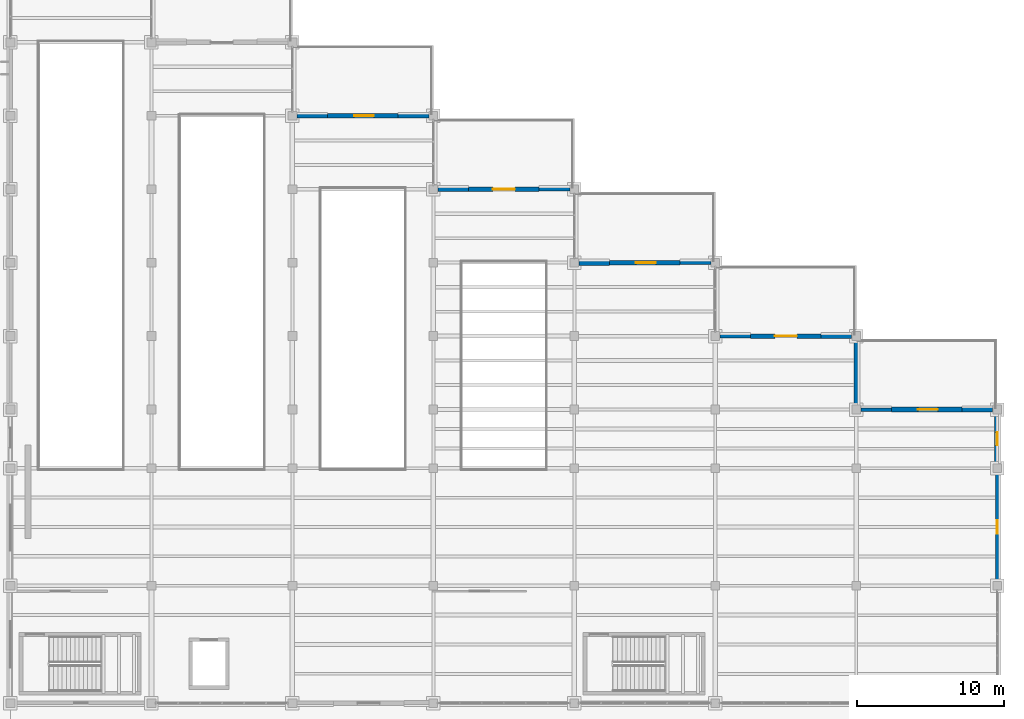
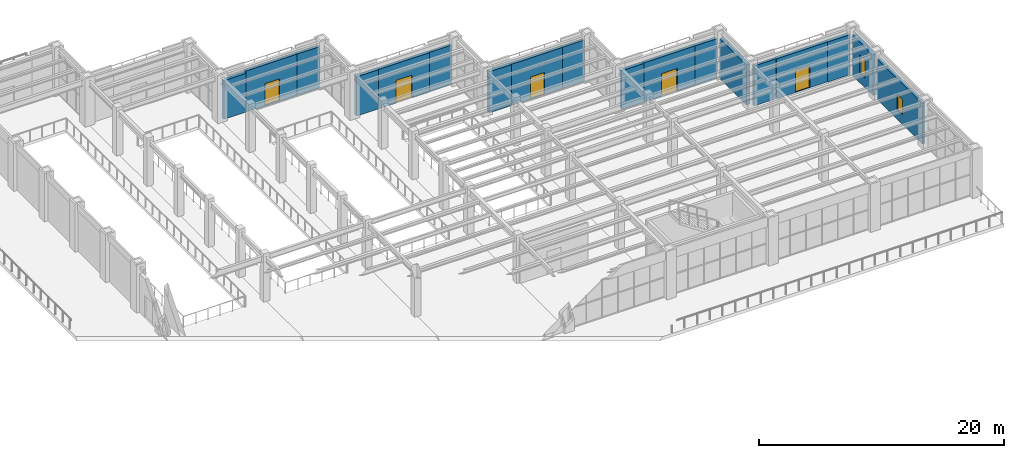
# One storey, part 63 of 83: 18 walls, 5 doors, 2 windows, 7 openings.
"""IFC4 building model written with IfcOpenShell, lengths in metres."""

from ifc_helpers import new_model, si_unit, direction, frame, frame_2d, origin, place, context, subcontext, project, spatial, rectangle, extrude, material, layer, layer_set, type_object, element, fill, save


model = new_model("IFC4")

# Units and contexts
model_context = context("Model", 3, precision=1e-05, world=origin(), true_north=direction((0.0, 1.0)))
body_context = subcontext(model_context, "Body", "Model", "MODEL_VIEW")
ifc_project = project(units=[si_unit("LENGTHUNIT", "METRE"), si_unit("AREAUNIT", "SQUARE_METRE"), si_unit("VOLUMEUNIT", "CUBIC_METRE"), si_unit("PLANEANGLEUNIT", "RADIAN"), si_unit("MASSUNIT", "GRAM", prefix="KILO")], contexts=[model_context])

# Site, building, storey
site_placement = place(None, origin())
site = spatial("IfcSite", under=ifc_project, at=site_placement, CompositionType="ELEMENT")
building_placement = place(site_placement, origin())
building = spatial("IfcBuilding", under=site, at=building_placement, Name="Mavantir Sound Aquarium", CompositionType="ELEMENT")
storey_placement = place(building_placement, frame((0.0, 0.0, 10.5)))
storey = spatial("IfcBuildingStorey", under=building, at=storey_placement, Name="L02", CompositionType="ELEMENT", Elevation=10.5)

# Wall, opening, door
ifc_material_1 = material(Name="Coral-Buff Architectural Precast Concrete C40/50", Category="concrete")
ifc_layer_1 = layer(ifc_material_1, 0.31005859375, Name="Coral-Buff Architectural Precast Concrete C40/50")
ifc_layer_set_1 = layer_set([ifc_layer_1], Name="Coral-Buff Architectural Precast Concrete C40/50")
wall_type_1 = type_object("IfcWallType", Name="EW-CORAL-310", PredefinedType="SOLIDWALL", material=ifc_layer_set_1)
wall_1_placement = place(storey_placement, frame((134.39990234375, 80.800048828125, 0.0), z_axis=(0.0, 0.0, 1.0), x_axis=(-1.0, 0.0, 0.0)))
wall_1 = element("IfcWall", 1, at=wall_1_placement, inside=storey, type_object=wall_type_1, Name="L02 terrace portal wall 23", PredefinedType="SOLIDWALL", context=body_context, shape_type="SweptSolid", body=[
    extrude(rectangle(XDim=4.7998046875, YDim=0.31005859375, at=frame_2d((2.39990234375, 0.0))), origin(), (0.0, 0.0, 1.0), 4.093017578125),
])
opening_1_placement = place(wall_1_placement, frame((3.0, 0.0, 0.0), z_axis=(0.0, 0.0, 1.0), x_axis=(-1.0, 0.0, 0.0)))
opening_1 = element("IfcOpeningElement", 2, at=opening_1_placement, cuts=wall_1, Name="Opening ETD-02", PredefinedType="OPENING", context=body_context, shape_type="SweptSolid", body=[
    extrude(rectangle(XDim=1.35009765625, YDim=2.199951171875, at=frame_2d((0.675048828125, 1.10009765625))), frame((0.0, 0.1650390625, 0.0), z_axis=(0.0, -1.0, 0.0), x_axis=(1.0, 0.0, 0.0)), (0.0, 0.0, 1.0), 0.330078125),
])
ifc_material_2 = material(Name="Marine-Grade Anodised Aluminium and Laminated Glass", Category="aluminium")
door_type_1 = type_object("IfcDoorType", Name="DR-TER-135", OperationType="NOTDEFINED", PredefinedType="DOOR", material=ifc_material_2)
door_1_placement = place(opening_1_placement, origin())
door_1 = element("IfcDoor", 3, at=door_1_placement, inside=storey, type_object=door_type_1, Name="L02 terrace access door 23", OperationType="SINGLE_SWING_RIGHT", OverallHeight=2.199951171875, OverallWidth=1.35009765625, PredefinedType="DOOR", context=body_context, shape_type="SweptSolid", body=[
    extrude(rectangle(XDim=1.35009765625, YDim=2.199951171875, at=frame_2d((0.675048828125, 1.10009765625))), frame((0.0, 0.02490234375, 0.0), z_axis=(0.0, -1.0, 0.0), x_axis=(1.0, 0.0, 0.0)), (0.0, 0.0, 1.0), 0.050048828125),
])
fill(opening_1, door_1)

wall_2_placement = place(storey_placement, frame((144.0, 75.800048828125, 0.0), z_axis=(0.0, 0.0, 1.0), x_axis=(-1.0, 0.0, 0.0)))
wall_2 = element("IfcWall", 4, at=wall_2_placement, inside=storey, type_object=wall_type_1, Name="L02 terrace portal wall 24", PredefinedType="SOLIDWALL", context=body_context, shape_type="SweptSolid", body=[
    extrude(rectangle(XDim=4.800048828125, YDim=0.31005859375, at=frame_2d((2.39990234375, 0.0))), origin(), (0.0, 0.0, 1.0), 3.912109375),
])
opening_2_placement = place(wall_2_placement, frame((3.14990234375, 0.0, 0.0), z_axis=(0.0, 0.0, 1.0), x_axis=(-1.0, 0.0, 0.0)))
opening_2 = element("IfcOpeningElement", 5, at=opening_2_placement, cuts=wall_2, Name="Opening ETD-01", PredefinedType="OPENING", context=body_context, shape_type="SweptSolid", body=[
    extrude(rectangle(XDim=1.5, YDim=2.25, at=frame_2d((0.75, 1.125))), frame((0.0, 0.1650390625, 0.0), z_axis=(0.0, -1.0, 0.0), x_axis=(1.0, 0.0, 0.0)), (0.0, 0.0, 1.0), 0.330078125),
])
door_type_2 = type_object("IfcDoorType", Name="DR-TER-150", OperationType="NOTDEFINED", PredefinedType="DOOR", material=ifc_material_2)
door_2_placement = place(opening_2_placement, origin())
door_2 = element("IfcDoor", 6, at=door_2_placement, inside=storey, type_object=door_type_2, Name="L02 terrace access door 24", OperationType="SINGLE_SWING_LEFT", OverallHeight=2.25, OverallWidth=1.5, PredefinedType="DOOR", context=body_context, shape_type="SweptSolid", body=[
    extrude(rectangle(XDim=1.5, YDim=2.25, at=frame_2d((0.75, 1.125))), frame((0.0, 0.02490234375, 0.0), z_axis=(0.0, -1.0, 0.0), x_axis=(1.0, 0.0, 0.0)), (0.0, 0.0, 1.0), 0.050048828125),
])
fill(opening_2, door_2)

wall_3_placement = place(storey_placement, frame((153.60009765625, 70.800048828125, 0.0), z_axis=(0.0, 0.0, 1.0), x_axis=(-1.0, 0.0, 0.0)))
wall_3 = element("IfcWall", 7, at=wall_3_placement, inside=storey, type_object=wall_type_1, Name="L02 terrace portal wall 25", PredefinedType="SOLIDWALL", context=body_context, shape_type="SweptSolid", body=[
    extrude(rectangle(XDim=4.800048828125, YDim=0.31005859375, at=frame_2d((2.39990234375, 0.0))), origin(), (0.0, 0.0, 1.0), 4.093017578125),
])
opening_3_placement = place(wall_3_placement, frame((3.0, 0.0, 0.0), z_axis=(0.0, 0.0, 1.0), x_axis=(-1.0, 0.0, 0.0)))
opening_3 = element("IfcOpeningElement", 8, at=opening_3_placement, cuts=wall_3, Name="Opening ETD-02", PredefinedType="OPENING", context=body_context, shape_type="SweptSolid", body=[
    extrude(rectangle(XDim=1.35009765625, YDim=2.199951171875, at=frame_2d((0.675048828125, 1.10009765625))), frame((0.0, 0.1650390625, 0.0), z_axis=(0.0, -1.0, 0.0), x_axis=(1.0, 0.0, 0.0)), (0.0, 0.0, 1.0), 0.330078125),
])
door_3_placement = place(opening_3_placement, origin())
door_3 = element("IfcDoor", 9, at=door_3_placement, inside=storey, type_object=door_type_1, Name="L02 terrace access door 25", OperationType="SINGLE_SWING_RIGHT", OverallHeight=2.199951171875, OverallWidth=1.35009765625, PredefinedType="DOOR", context=body_context, shape_type="SweptSolid", body=[
    extrude(rectangle(XDim=1.35009765625, YDim=2.199951171875, at=frame_2d((0.675048828125, 1.10009765625))), frame((0.0, 0.02490234375, 0.0), z_axis=(0.0, -1.0, 0.0), x_axis=(1.0, 0.0, 0.0)), (0.0, 0.0, 1.0), 0.050048828125),
])
fill(opening_3, door_3)

wall_4_placement = place(storey_placement, frame((163.199951171875, 65.800048828125, 0.0), z_axis=(0.0, 0.0, 1.0), x_axis=(-1.0, 0.0, 0.0)))
wall_4 = element("IfcWall", 10, at=wall_4_placement, inside=storey, type_object=wall_type_1, Name="L02 terrace portal wall 26", PredefinedType="SOLIDWALL", context=body_context, shape_type="SweptSolid", body=[
    extrude(rectangle(XDim=4.800048828125, YDim=0.31005859375, at=frame_2d((2.39990234375, 0.0))), origin(), (0.0, 0.0, 1.0), 3.912109375),
])
opening_4_placement = place(wall_4_placement, frame((3.14990234375, 0.0, 0.0), z_axis=(0.0, 0.0, 1.0), x_axis=(-1.0, 0.0, 0.0)))
opening_4 = element("IfcOpeningElement", 11, at=opening_4_placement, cuts=wall_4, Name="Opening ETD-01", PredefinedType="OPENING", context=body_context, shape_type="SweptSolid", body=[
    extrude(rectangle(XDim=1.5, YDim=2.25, at=frame_2d((0.75, 1.125))), frame((0.0, 0.1650390625, 0.0), z_axis=(0.0, -1.0, 0.0), x_axis=(1.0, 0.0, 0.0)), (0.0, 0.0, 1.0), 0.330078125),
])
door_4_placement = place(opening_4_placement, origin())
door_4 = element("IfcDoor", 12, at=door_4_placement, inside=storey, type_object=door_type_2, Name="L02 terrace access door 26", OperationType="SINGLE_SWING_LEFT", OverallHeight=2.25, OverallWidth=1.5, PredefinedType="DOOR", context=body_context, shape_type="SweptSolid", body=[
    extrude(rectangle(XDim=1.5, YDim=2.25, at=frame_2d((0.75, 1.125))), frame((0.0, 0.02490234375, 0.0), z_axis=(0.0, -1.0, 0.0), x_axis=(1.0, 0.0, 0.0)), (0.0, 0.0, 1.0), 0.050048828125),
])
fill(opening_4, door_4)

wall_5_placement = place(storey_placement, frame((172.800048828125, 60.800048828125, 0.0), z_axis=(0.0, 0.0, 1.0), x_axis=(-1.0, 0.0, 0.0)))
wall_5 = element("IfcWall", 13, at=wall_5_placement, inside=storey, type_object=wall_type_1, Name="L02 terrace portal wall 27", PredefinedType="SOLIDWALL", context=body_context, shape_type="SweptSolid", body=[
    extrude(rectangle(XDim=4.800048828125, YDim=0.31005859375, at=frame_2d((2.39990234375, 0.0))), origin(), (0.0, 0.0, 1.0), 3.987060546875),
])
opening_5_placement = place(wall_5_placement, frame((3.0, 0.0, 0.0), z_axis=(0.0, 0.0, 1.0), x_axis=(-1.0, 0.0, 0.0)))
opening_5 = element("IfcOpeningElement", 14, at=opening_5_placement, cuts=wall_5, Name="Opening ETD-02", PredefinedType="OPENING", context=body_context, shape_type="SweptSolid", body=[
    extrude(rectangle(XDim=1.35009765625, YDim=2.199951171875, at=frame_2d((0.675048828125, 1.10009765625))), frame((0.0, 0.1650390625, 0.0), z_axis=(0.0, -1.0, 0.0), x_axis=(1.0, 0.0, 0.0)), (0.0, 0.0, 1.0), 0.330078125),
])
door_5_placement = place(opening_5_placement, origin())
door_5 = element("IfcDoor", 15, at=door_5_placement, inside=storey, type_object=door_type_1, Name="L02 terrace access door 27", OperationType="SINGLE_SWING_RIGHT", OverallHeight=2.199951171875, OverallWidth=1.35009765625, PredefinedType="DOOR", context=body_context, shape_type="SweptSolid", body=[
    extrude(rectangle(XDim=1.35009765625, YDim=2.199951171875, at=frame_2d((0.675048828125, 1.10009765625))), frame((0.0, 0.02490234375, 0.0), z_axis=(0.0, -1.0, 0.0), x_axis=(1.0, 0.0, 0.0)), (0.0, 0.0, 1.0), 0.050048828125),
])
fill(opening_5, door_5)

# Walls
wall_6_placement = place(storey_placement, frame((165.2919921875, 65.800048828125, 0.0), z_axis=(0.0, 0.0, 1.0), x_axis=(-1.0, 0.0, 0.0)))
element("IfcWall", 16, at=wall_6_placement, inside=storey, type_object=wall_type_1, Name="L02 exterior facade wall EW-02 254", PredefinedType="SOLIDWALL", context=body_context, shape_type="SweptSolid", body=[
    extrude(rectangle(XDim=2.0869140625, YDim=0.31005859375, at=frame_2d((1.04345703125, 0.0))), origin(), (0.0, 0.0, 1.0), 3.912109375),
])
wall_7_placement = place(storey_placement, frame((136.491943359375, 80.800048828125, 0.0), z_axis=(0.0, 0.0, 1.0), x_axis=(-1.0, 0.0, 0.0)))
element("IfcWall", 17, at=wall_7_placement, inside=storey, type_object=wall_type_1, Name="L02 exterior facade wall EW-02 260", PredefinedType="SOLIDWALL", context=body_context, shape_type="SweptSolid", body=[
    extrude(rectangle(XDim=2.0869140625, YDim=0.31005859375, at=frame_2d((1.04345703125, 0.0))), origin(), (0.0, 0.0, 1.0), 4.093017578125),
])
ifc_layer_2 = layer(ifc_material_1, 0.340087890625, Name="Coral-Buff Architectural Precast Concrete C40/50")
ifc_layer_set_2 = layer_set([ifc_layer_2], Name="Coral-Buff Architectural Precast Concrete C40/50")
wall_type_2 = type_object("IfcWallType", Name="EW-CORAL-340", PredefinedType="SOLIDWALL", material=ifc_layer_set_2)
wall_8_placement = place(storey_placement, frame((165.60009765625, 61.10791015625, 0.0), z_axis=(0.0, 0.0, 1.0), x_axis=(0.0, 1.0, 0.0)))
element("IfcWall", 18, at=wall_8_placement, inside=storey, type_object=wall_type_2, Name="L02 exterior facade wall EW-01 253", PredefinedType="SOLIDWALL", context=body_context, shape_type="SweptSolid", body=[
    extrude(rectangle(XDim=4.384033203125, YDim=0.340087890625, at=frame_2d((2.19189453125, 0.0))), origin(), (0.0, 0.0, 1.0), 3.987060546875),
])
wall_9_placement = place(storey_placement, frame((139.195068359375, 75.800048828125, 0.0), z_axis=(0.0, 0.0, 1.0), x_axis=(-1.0, 0.0, 0.0)))
element("IfcWall", 19, at=wall_9_placement, inside=storey, type_object=wall_type_2, Name="L02 exterior facade wall EW-01 259", PredefinedType="SOLIDWALL", context=body_context, shape_type="SweptSolid", body=[
    extrude(rectangle(XDim=2.087158203125, YDim=0.340087890625, at=frame_2d((1.04345703125, 0.0))), origin(), (0.0, 0.0, 1.0), 3.912109375),
])

# Wall, opening, window
wall_10_placement = place(storey_placement, frame((175.199951171875, 57.10791015625, 0.0), z_axis=(0.0, 0.0, 1.0), x_axis=(0.0, 1.0, 0.0)))
wall_10 = element("IfcWall", 20, at=wall_10_placement, inside=storey, type_object=wall_type_2, Name="L02 exterior facade wall EW-01 277", PredefinedType="SOLIDWALL", context=body_context, shape_type="SweptSolid", body=[
    extrude(rectangle(XDim=3.384033203125, YDim=0.340087890625, at=frame_2d((1.69189453125, 0.0))), origin(), (0.0, 0.0, 1.0), 4.0390625),
])
opening_6_placement = place(wall_10_placement, frame((1.241943359375, 0.0, 0.949951171875)))
opening_6 = element("IfcOpeningElement", 21, at=opening_6_placement, cuts=wall_10, Name="Opening W-03", PredefinedType="OPENING", context=body_context, shape_type="SweptSolid", body=[
    extrude(rectangle(XDim=0.89990234375, YDim=1.800048828125, at=frame_2d((0.449951171875, 0.89990234375))), frame((0.0, 0.18017578125, 0.0), z_axis=(0.0, -1.0, 0.0), x_axis=(1.0, 0.0, 0.0)), (0.0, 0.0, 1.0), 0.360107421875),
])
ifc_material_3 = material(Name="Thermally Broken Aluminium and Low-E Glass", Category="aluminium")
window_type_1 = type_object("IfcWindowType", Name="WIN-EXT-03", PartitioningType="SINGLE_PANEL", PredefinedType="WINDOW", material=ifc_material_3)
window_1_placement = place(opening_6_placement, origin())
window_1 = element("IfcWindow", 22, at=window_1_placement, inside=storey, type_object=window_type_1, Name="L02 facade window W-03 99", OverallHeight=1.800048828125, OverallWidth=0.89990234375, PartitioningType="SINGLE_PANEL", PredefinedType="WINDOW", context=body_context, shape_type="SweptSolid", body=[
    extrude(rectangle(XDim=0.89990234375, YDim=1.800048828125, at=frame_2d((0.449951171875, 0.89990234375))), frame((0.0, 0.030029296875, 0.0), z_axis=(0.0, -1.0, 0.0), x_axis=(1.0, 0.0, 0.0)), (0.0, 0.0, 1.0), 0.06005859375),
])
fill(opening_6, window_1)

# Walls
ifc_material_4 = material(Name="Architectural Precast Concrete C40/50", Category="concrete")
ifc_layer_3 = layer(ifc_material_4, 0.239990234375, Name="Architectural Precast Concrete C40/50")
ifc_layer_set_3 = layer_set([ifc_layer_3], Name="Architectural Precast Concrete C40/50")
wall_type_3 = type_object("IfcWallType", Name="EW-PRE-240", PredefinedType="SOLIDWALL", material=ifc_layer_set_3)
wall_11_placement = place(storey_placement, frame((167.9951171875, 60.800048828125, 0.0), z_axis=(0.0, 0.0, 1.0), x_axis=(-1.0, 0.0, 0.0)))
element("IfcWall", 23, at=wall_11_placement, inside=storey, type_object=wall_type_3, Name="L02 exterior facade wall EW-06 252", PredefinedType="SOLIDWALL", context=body_context, shape_type="SweptSolid", body=[
    extrude(rectangle(XDim=2.087158203125, YDim=0.239990234375, at=frame_2d((1.04345703125, 0.0))), origin(), (0.0, 0.0, 1.0), 3.987060546875),
])
wall_12_placement = place(storey_placement, frame((146.092041015625, 75.800048828125, 0.0), z_axis=(0.0, 0.0, 1.0), x_axis=(-1.0, 0.0, 0.0)))
element("IfcWall", 24, at=wall_12_placement, inside=storey, type_object=wall_type_3, Name="L02 exterior facade wall EW-06 258", PredefinedType="SOLIDWALL", context=body_context, shape_type="SweptSolid", body=[
    extrude(rectangle(XDim=2.087158203125, YDim=0.239990234375, at=frame_2d((1.04345703125, 0.0))), origin(), (0.0, 0.0, 1.0), 3.912109375),
])

# Wall, opening, window
wall_13_placement = place(storey_placement, frame((175.199951171875, 49.10791015625, 0.0), z_axis=(0.0, 0.0, 1.0), x_axis=(0.0, 1.0, 0.0)))
wall_13 = element("IfcWall", 25, at=wall_13_placement, inside=storey, type_object=wall_type_3, Name="L02 exterior facade wall EW-06 276", PredefinedType="SOLIDWALL", context=body_context, shape_type="SweptSolid", body=[
    extrude(rectangle(XDim=7.384033203125, YDim=0.239990234375, at=frame_2d((3.69189453125, 0.0))), origin(), (0.0, 0.0, 1.0), 4.0390625),
])
opening_7_placement = place(wall_13_placement, frame((3.241943359375, 0.0, 0.949951171875)))
opening_7 = element("IfcOpeningElement", 26, at=opening_7_placement, cuts=wall_13, Name="Opening W-02", PredefinedType="OPENING", context=body_context, shape_type="SweptSolid", body=[
    extrude(rectangle(XDim=0.89990234375, YDim=1.5, at=frame_2d((0.449951171875, 0.75))), frame((0.0, 0.1298828125, 0.0), z_axis=(0.0, -1.0, 0.0), x_axis=(1.0, 0.0, 0.0)), (0.0, 0.0, 1.0), 0.260009765625),
])
window_type_2 = type_object("IfcWindowType", Name="WIN-EXT-02", PartitioningType="SINGLE_PANEL", PredefinedType="WINDOW", material=ifc_material_3)
window_2_placement = place(opening_7_placement, origin())
window_2 = element("IfcWindow", 27, at=window_2_placement, inside=storey, type_object=window_type_2, Name="L02 facade window W-02 98", OverallHeight=1.5, OverallWidth=0.89990234375, PartitioningType="SINGLE_PANEL", PredefinedType="WINDOW", context=body_context, shape_type="SweptSolid", body=[
    extrude(rectangle(XDim=0.89990234375, YDim=1.5, at=frame_2d((0.449951171875, 0.75))), frame((0.0, 0.030029296875, 0.0), z_axis=(0.0, -1.0, 0.0), x_axis=(1.0, 0.0, 0.0)), (0.0, 0.0, 1.0), 0.06005859375),
])
fill(opening_7, window_2)

# Walls
ifc_layer_4 = layer(ifc_material_1, 0.360107421875, Name="Coral-Buff Architectural Precast Concrete C40/50")
ifc_layer_set_4 = layer_set([ifc_layer_4], Name="Coral-Buff Architectural Precast Concrete C40/50")
wall_type_4 = type_object("IfcWallType", Name="EW-PRE-360", PredefinedType="SOLIDWALL", material=ifc_layer_set_4)
wall_14_placement = place(storey_placement, frame((174.89208984375, 60.800048828125, 0.0), z_axis=(0.0, 0.0, 1.0), x_axis=(-1.0, 0.0, 0.0)))
element("IfcWall", 28, at=wall_14_placement, inside=storey, type_object=wall_type_4, Name="L02 exterior facade wall EW-05 251", PredefinedType="SOLIDWALL", context=body_context, shape_type="SweptSolid", body=[
    extrude(rectangle(XDim=2.087158203125, YDim=0.360107421875, at=frame_2d((1.04345703125, 0.0))), origin(), (0.0, 0.0, 1.0), 3.987060546875),
])
wall_15_placement = place(storey_placement, frame((148.794921875, 70.800048828125, 0.0), z_axis=(0.0, 0.0, 1.0), x_axis=(-1.0, 0.0, 0.0)))
element("IfcWall", 29, at=wall_15_placement, inside=storey, type_object=wall_type_4, Name="L02 exterior facade wall EW-05 257", PredefinedType="SOLIDWALL", context=body_context, shape_type="SweptSolid", body=[
    extrude(rectangle(XDim=2.0869140625, YDim=0.360107421875, at=frame_2d((1.04345703125, 0.0))), origin(), (0.0, 0.0, 1.0), 4.093017578125),
])
ifc_material_5 = material(Name="Cerulean Glazed Terracotta Rainscreen on Concrete C40/50", Category="masonry")
ifc_layer_5 = layer(ifc_material_5, 0.27001953125, Name="Cerulean Glazed Terracotta Rainscreen on Concrete C40/50")
ifc_layer_set_5 = layer_set([ifc_layer_5], Name="Cerulean Glazed Terracotta Rainscreen on Concrete C40/50")
wall_type_5 = type_object("IfcWallType", Name="EW-TERRA-270", PredefinedType="SOLIDWALL", material=ifc_layer_set_5)
wall_16_placement = place(storey_placement, frame((155.69189453125, 70.800048828125, 0.0), z_axis=(0.0, 0.0, 1.0), x_axis=(-1.0, 0.0, 0.0)))
element("IfcWall", 30, at=wall_16_placement, inside=storey, type_object=wall_type_5, Name="L02 exterior facade wall EW-04 256", PredefinedType="SOLIDWALL", context=body_context, shape_type="SweptSolid", body=[
    extrude(rectangle(XDim=2.0869140625, YDim=0.27001953125, at=frame_2d((1.04345703125, 0.0))), origin(), (0.0, 0.0, 1.0), 4.093017578125),
])
ifc_material_6 = material(Name="Turquoise Glazed Terracotta Rainscreen on Concrete C40/50", Category="masonry")
ifc_layer_6 = layer(ifc_material_6, 0.2900390625, Name="Turquoise Glazed Terracotta Rainscreen on Concrete C40/50")
ifc_layer_set_6 = layer_set([ifc_layer_6], Name="Turquoise Glazed Terracotta Rainscreen on Concrete C40/50")
wall_type_6 = type_object("IfcWallType", Name="EW-TERRA-290", PredefinedType="SOLIDWALL", material=ifc_layer_set_6)
for number, where, z_axis, x_axis, name in (
    (31, (158.39501953125, 65.800048828125, 0.0), (0.0, 0.0, 1.0), (-1.0, 0.0, 0.0), "L02 exterior facade wall EW-03 255"),
    (32, (129.594970703125, 80.800048828125, 0.0), (0.0, 0.0, 1.0), (-1.0, 0.0, 0.0), "L02 exterior facade wall EW-03 261"),
):
    element("IfcWall", number, at=place(storey_placement, frame(where, z_axis=z_axis, x_axis=x_axis)), inside=storey, type_object=wall_type_6, Name=name, PredefinedType="SOLIDWALL", context=body_context, shape_type="SweptSolid", body=[
        extrude(rectangle(XDim=2.0869140625, YDim=0.2900390625, at=frame_2d((1.04345703125, 0.0))), origin(), (0.0, 0.0, 1.0), 3.844970703125),
    ])

save(model, "model.ifc")
